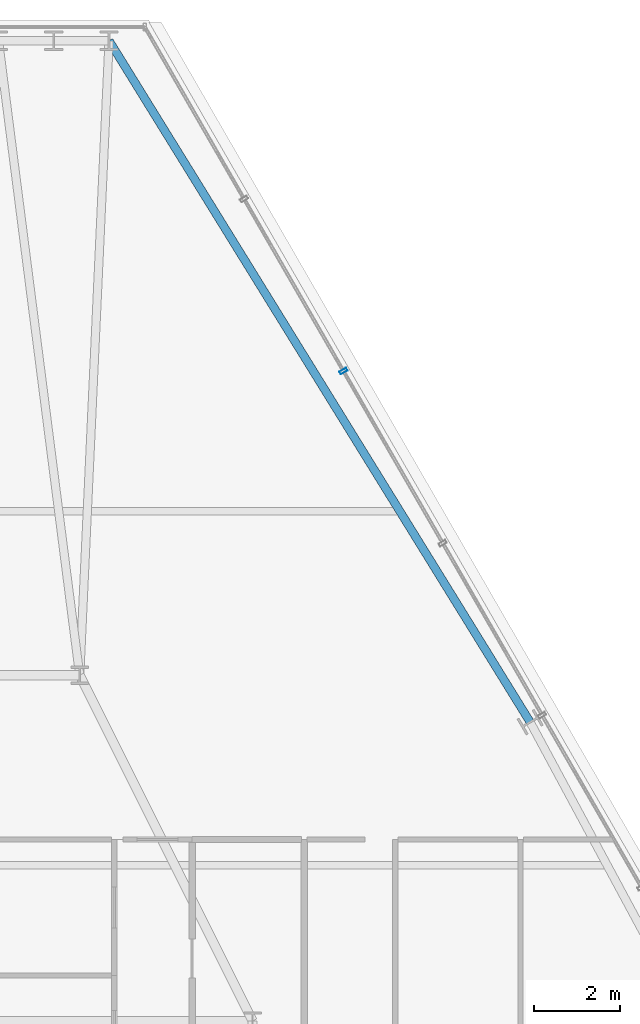
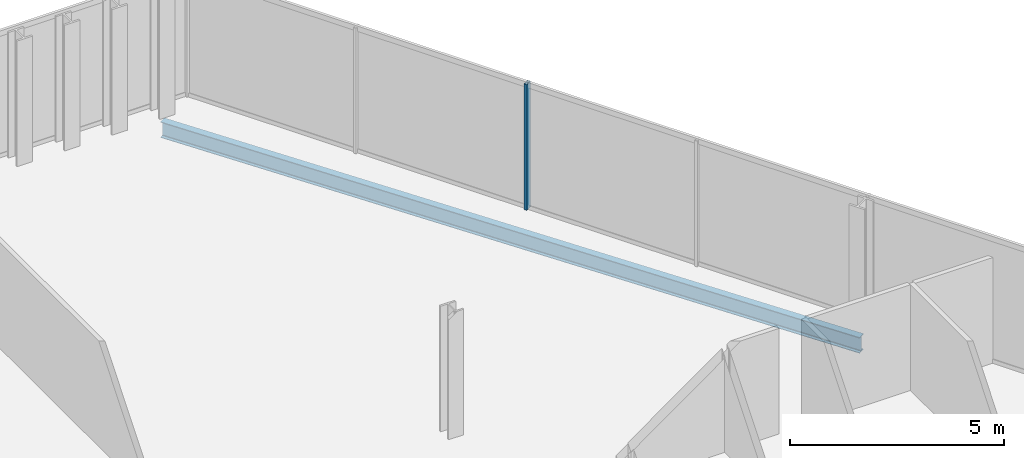
# One storey, part 25 of 33: 1 beam, 1 member, 1 element without a shape of its own.
"""IFC4 building model written with IfcOpenShell, lengths in metres."""

from ifc_helpers import new_model, si_unit, direction, frame, origin, origin_2d, place, context, subcontext, project, spatial, hollow_rectangle, i_section, extrude, material, layer, layer_set, material_profile, profile_set, type_object, element, aggregate, save


model = new_model("IFC4")

# Units and contexts
model_context = context("Model", 3, precision=1e-05, world=origin(), true_north=direction((0.0, 1.0)))
body_context = subcontext(model_context, "Body", "Model", "MODEL_VIEW")
ifc_project = project(units=[si_unit("LENGTHUNIT", "METRE"), si_unit("AREAUNIT", "SQUARE_METRE"), si_unit("VOLUMEUNIT", "CUBIC_METRE"), si_unit("PLANEANGLEUNIT", "RADIAN"), si_unit("MASSUNIT", "GRAM", prefix="KILO")], contexts=[model_context])

# Site, building, storey
site_placement = place(None, origin())
site = spatial("IfcSite", under=ifc_project, at=site_placement, CompositionType="ELEMENT")
building_placement = place(site_placement, origin())
building = spatial("IfcBuilding", under=site, at=building_placement, Name="Ndaravel Arena Tower", CompositionType="ELEMENT")
storey_placement = place(building_placement, frame((0.0, 0.0, 161.199951171875)))
storey = spatial("IfcBuildingStorey", under=building, at=storey_placement, Name="L38", CompositionType="ELEMENT", Elevation=161.199951171875)

# Beam
ifc_material_1 = material(Name="Steel S355", Category="steel")
ifc_material_profile_1 = material_profile(ifc_material_1, i_section(OverallWidth=0.18994140625, OverallDepth=0.449951171875, WebThickness=0.009521484375, FlangeThickness=0.0146484375, FilletRadius=0.02099609375, at=origin_2d()), Name="IPE 450")
ifc_profile_set_1 = profile_set([ifc_material_profile_1], Name="Steel S355")
beam_type = type_object("IfcBeamType", Name="BM-SPAN-IPE450", PredefinedType="SPANDREL", material=ifc_profile_set_1)
beam_placement = place(storey_placement, frame((56.22314453125, 30.114990234375, -0.445068359375), z_axis=(-0.525677399695, 0.850684002112, 0.0), x_axis=(-0.850684002112, -0.525677399695, 0.0)))
element("IfcBeam", 1, at=beam_placement, inside=storey, type_object=beam_type, Name="L38 Perimeter Spandrel Beam SP-10", PredefinedType="SPANDREL", context=body_context, shape_type="SweptSolid", body=[
    extrude(i_section(OverallWidth=0.18994140625, OverallDepth=0.449951171875, WebThickness=0.009521484375, FlangeThickness=0.0146484375, FilletRadius=0.02099609375, at=origin_2d()), origin(), (0.0, 0.0, 1.0), 18.533935546875),
])

# Curtain wall, member
ifc_material_2 = material(Name="Aluminium", Category="aluminium")
ifc_layer = layer(ifc_material_2, 0.179931640625)
ifc_layer_set = layer_set([ifc_layer], Name="Aluminium")
curtain_wall_type = type_object("IfcCurtainWallType", Name="CW-SYS-03", PredefinedType="NOTDEFINED", material=ifc_layer_set)
curtain_wall_placement = place(storey_placement, origin())
curtain_wall = element("IfcCurtainWall", 2, at=curtain_wall_placement, inside=storey, type_object=curtain_wall_type, Name="L38 Faceted Crystal Curtain Wall CW-L38-E03", PredefinedType="NOTDEFINED")
ifc_material_3 = material(Name="Aluminium", Category="aluminium")
ifc_material_profile_2 = material_profile(ifc_material_3, hollow_rectangle(XDim=0.074951171875, YDim=0.179931640625, WallThickness=0.00390625, at=origin_2d()), Name="CW MULLION 75x180x4")
ifc_profile_set_2 = profile_set([ifc_material_profile_2], Name="Aluminium")
member_type = type_object("IfcMemberType", Name="MEM-CW-MUL180", PredefinedType="MULLION", material=ifc_profile_set_2)
member_placement = place(storey_placement, frame((51.902587890625, 38.23828125, 0.0), z_axis=(0.0, 0.0, 1.0), x_axis=(-0.5, 0.866025403784, 0.0)))
member = element("IfcMember", 3, at=member_placement, type_object=member_type, Name="CW-L38-E03 Mullion 06", PredefinedType="MULLION", context=body_context, shape_type="SweptSolid", body=[
    extrude(hollow_rectangle(XDim=0.074951171875, YDim=0.179931640625, WallThickness=0.00390625, at=origin_2d()), origin(), (0.0, 0.0, 1.0), 3.580078125),
])
aggregate(curtain_wall, [member])

save(model, "model.ifc")
